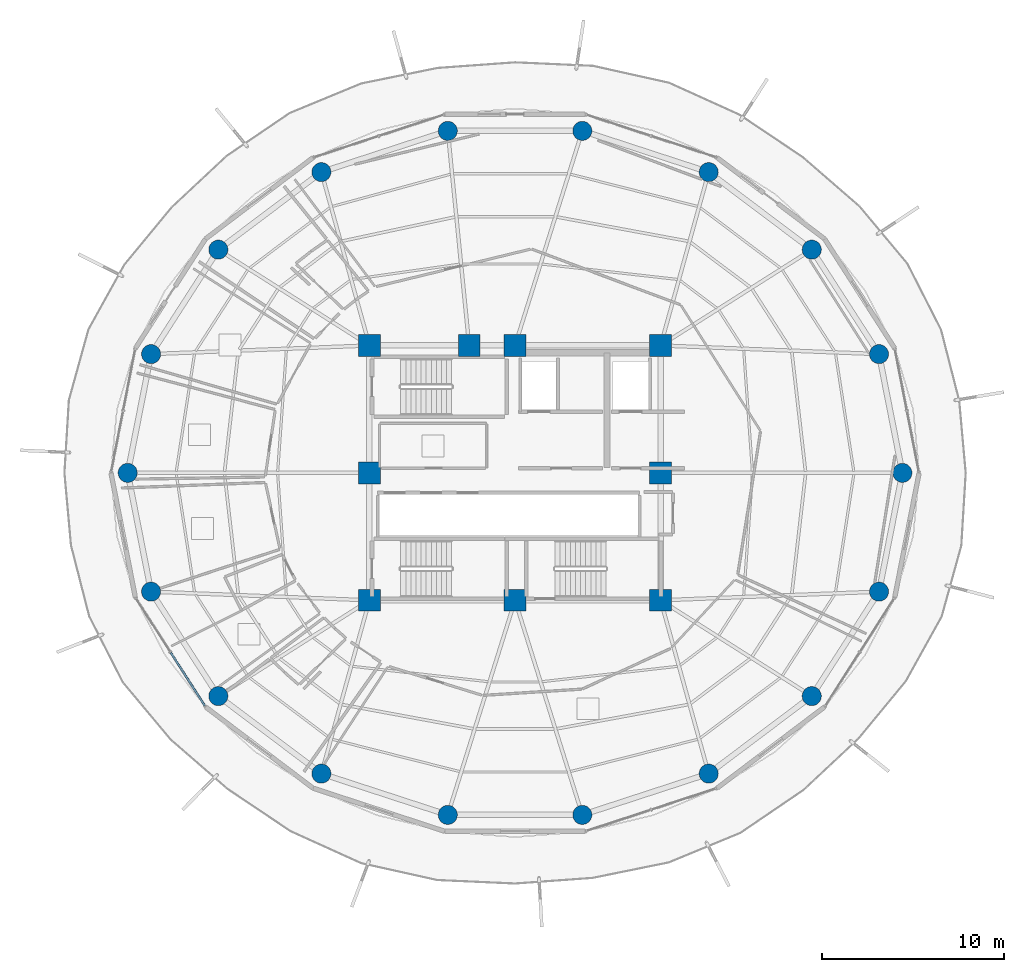
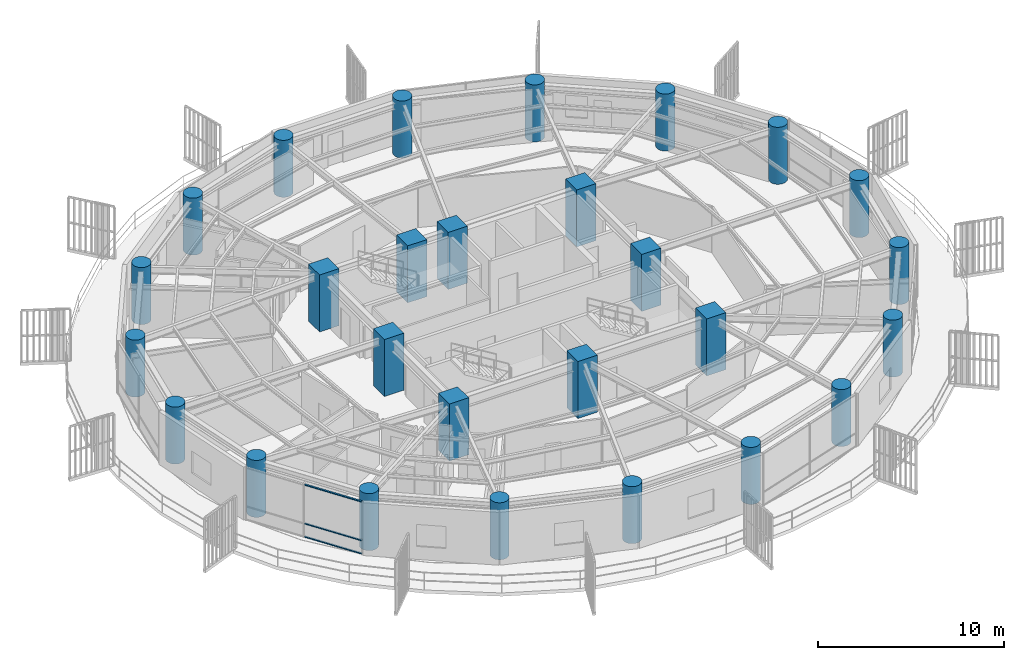
# One storey, part 1 of 30: 27 columns, 3 members, 1 element without a shape of its own.
"""IFC4 building model written with IfcOpenShell, lengths in metres."""

from ifc_helpers import new_model, si_unit, direction, frame, origin, origin_2d, place, context, subcontext, project, spatial, rectangle, hollow_rectangle, circle, extrude, material, layer, layer_set, material_profile, profile_set, type_object, element, aggregate, save


model = new_model("IFC4")

# Units and contexts
model_context = context("Model", 3, precision=1e-05, world=origin(), true_north=direction((0.0, 1.0)))
body_context = subcontext(model_context, "Body", "Model", "MODEL_VIEW")
ifc_project = project(units=[si_unit("LENGTHUNIT", "METRE"), si_unit("AREAUNIT", "SQUARE_METRE"), si_unit("VOLUMEUNIT", "CUBIC_METRE"), si_unit("PLANEANGLEUNIT", "RADIAN"), si_unit("MASSUNIT", "GRAM", prefix="KILO")], contexts=[model_context])

# Site, building, storey
site_placement = place(None, origin())
site = spatial("IfcSite", under=ifc_project, at=site_placement, CompositionType="ELEMENT")
building_placement = place(site_placement, origin())
building = spatial("IfcBuilding", under=site, at=building_placement, Name="Kelanora Arch Commons", CompositionType="ELEMENT")
storey_placement = place(building_placement, frame((0.0, 0.0, 208.199951171875)))
storey = spatial("IfcBuildingStorey", under=building, at=storey_placement, Name="L53", CompositionType="ELEMENT", Elevation=208.199951171875)

# Columns
ifc_material_1 = material(Name="Concrete C50/60", Category="concrete")
ifc_material_profile_1 = material_profile(ifc_material_1, circle(Radius=0.52490234375, at=origin_2d()), Name="RCC1050")
ifc_profile_set_1 = profile_set([ifc_material_profile_1], Name="Concrete C50/60")
column_type_1 = type_object("IfcColumnType", Name="COL-PERIM-Z4", PredefinedType="COLUMN", material=ifc_profile_set_1)
for number, where, z_axis, x_axis, name in (
    (1, (95.280029296875, 58.0, 0.0), (0.0, 0.0, 1.0), (1.0, 0.0, 0.0), "Perimeter Ring Column CP-00 L53"),
    (2, (93.99658203125, 64.525634765625, 0.0), (0.0, 0.0, 1.0), (1.0, 0.0, 0.0), "Perimeter Ring Column CP-02 L53"),
    (3, (90.301513671875, 70.264404296875, 0.0), (0.0, 0.0, 1.0), (1.0, 0.0, 0.0), "Perimeter Ring Column CP-04 L53"),
    (4, (84.639892578125, 74.523681640625, 0.0), (0.0, 0.0, 1.0), (1.0, 0.0, 0.0), "Perimeter Ring Column CP-06 L53"),
    (5, (77.6953125, 76.7900390625, 0.0), (0.0, 0.0, 1.0), (1.0, 0.0, 0.0), "Perimeter Ring Column CP-08 L53"),
    (6, (70.3046875, 76.7900390625, 0.0), (0.0, 0.0, 1.0), (1.0, 0.0, 0.0), "Perimeter Ring Column CP-10 L53"),
    (7, (63.360107421875, 74.523681640625, 0.0), (0.0, 0.0, 1.0), (1.0, 0.0, 0.0), "Perimeter Ring Column CP-12 L53"),
    (8, (57.698486328125, 70.264404296875, 0.0), (0.0, 0.0, 1.0), (1.0, 0.0, 0.0), "Perimeter Ring Column CP-14 L53"),
    (9, (54.00341796875, 64.525634765625, 0.0), (0.0, 0.0, 1.0), (1.0, 0.0, 0.0), "Perimeter Ring Column CP-16 L53"),
    (10, (52.719970703125, 58.0, 0.0), (0.0, 0.0, 1.0), (1.0, 0.0, 0.0), "Perimeter Ring Column CP-18 L53"),
    (11, (54.00341796875, 51.474365234375, 0.0), (0.0, 0.0, 1.0), (1.0, 0.0, 0.0), "Perimeter Ring Column CP-20 L53"),
    (12, (57.698486328125, 45.735595703125, 0.0), (0.0, 0.0, 1.0), (1.0, 0.0, 0.0), "Perimeter Ring Column CP-22 L53"),
    (13, (63.360107421875, 41.476318359375, 0.0), (0.0, 0.0, 1.0), (1.0, 0.0, 0.0), "Perimeter Ring Column CP-24 L53"),
    (14, (70.3046875, 39.2099609375, 0.0), (0.0, 0.0, 1.0), (1.0, 0.0, 0.0), "Perimeter Ring Column CP-26 L53"),
    (15, (77.6953125, 39.2099609375, 0.0), (0.0, 0.0, 1.0), (1.0, 0.0, 0.0), "Perimeter Ring Column CP-28 L53"),
    (16, (84.639892578125, 41.476318359375, 0.0), (0.0, 0.0, 1.0), (1.0, 0.0, 0.0), "Perimeter Ring Column CP-30 L53"),
    (17, (90.301513671875, 45.735595703125, 0.0), (0.0, 0.0, 1.0), (1.0, 0.0, 0.0), "Perimeter Ring Column CP-32 L53"),
    (18, (93.99658203125, 51.474365234375, 0.0), (0.0, 0.0, 1.0), (1.0, 0.0, 0.0), "Perimeter Ring Column CP-34 L53"),
):
    element("IfcColumn", number, at=place(storey_placement, frame(where, z_axis=z_axis, x_axis=x_axis)), inside=storey, type_object=column_type_1, Name=name, PredefinedType="COLUMN", context=body_context, shape_type="SweptSolid", body=[
        extrude(circle(Radius=0.52490234375, at=origin_2d()), origin(), (0.0, 0.0, 1.0), 3.75),
    ])
ifc_material_2 = material(Name="Concrete C60/75", Category="concrete")
ifc_material_profile_2 = material_profile(ifc_material_2, rectangle(XDim=1.199951171875, YDim=1.199951171875, at=origin_2d()), Name="RC1200x1200")
ifc_profile_set_2 = profile_set([ifc_material_profile_2], Name="Concrete C60/75")
column_type_2 = type_object("IfcColumnType", Name="COL-PIL-MID", PredefinedType="PILASTER", material=ifc_profile_set_2)
for number, where, z_axis, x_axis, name in (
    (19, (66.0, 51.0, 0.0), (0.0, 0.0, 1.0), (1.0, 0.0, 0.0), "Core Pilaster Column CP1 L53"),
    (20, (74.0, 51.0, 0.0), (0.0, 0.0, 1.0), (1.0, 0.0, 0.0), "Core Pilaster Column CP2 L53"),
    (21, (82.0, 51.0, 0.0), (0.0, 0.0, 1.0), (1.0, 0.0, 0.0), "Core Pilaster Column CP3 L53"),
    (22, (82.0, 58.0, 0.0), (0.0, 0.0, 1.0), (1.0, 0.0, 0.0), "Core Pilaster Column CP4 L53"),
    (23, (82.0, 65.0, 0.0), (0.0, 0.0, 1.0), (1.0, 0.0, 0.0), "Core Pilaster Column CP5 L53"),
    (24, (74.0, 65.0, 0.0), (0.0, 0.0, 1.0), (1.0, 0.0, 0.0), "Core Pilaster Column CP6 L53"),
    (25, (71.47998046875, 65.0, 0.0), (0.0, 0.0, 1.0), (1.0, 0.0, 0.0), "Core Pilaster Column CP9 L53"),
    (26, (66.0, 65.0, 0.0), (0.0, 0.0, 1.0), (1.0, 0.0, 0.0), "Core Pilaster Column CP7 L53"),
    (27, (66.0, 58.0, 0.0), (0.0, 0.0, 1.0), (1.0, 0.0, 0.0), "Core Pilaster Column CP8 L53"),
):
    element("IfcColumn", number, at=place(storey_placement, frame(where, z_axis=z_axis, x_axis=x_axis)), inside=storey, type_object=column_type_2, Name=name, PredefinedType="PILASTER", context=body_context, shape_type="SweptSolid", body=[
        extrude(rectangle(XDim=1.199951171875, YDim=1.199951171875, at=origin_2d()), origin(), (0.0, 0.0, 1.0), 3.75),
    ])

# Curtain wall, members
ifc_material_3 = material(Name="Terracotta ceramic-fritted low-E glass and aluminium", Category="masonry")
ifc_layer = layer(ifc_material_3, 0.175048828125)
ifc_layer_set = layer_set([ifc_layer], Name="Terracotta ceramic-fritted low-E glass and aluminium")
curtain_wall_type = type_object("IfcCurtainWallType", Name="CW-SYS-02", PredefinedType="NOTDEFINED", material=ifc_layer_set)
curtain_wall_placement = place(storey_placement, origin())
curtain_wall = element("IfcCurtainWall", 28, at=curtain_wall_placement, inside=storey, type_object=curtain_wall_type, Name="Unitised Curtain Wall L53-B10", PredefinedType="NOTDEFINED")
ifc_material_4 = material(Name="Powder-coated aluminium terracotta", Category="masonry")
ifc_material_profile_3 = material_profile(ifc_material_4, hollow_rectangle(XDim=0.1201171875, YDim=0.06005859375, WallThickness=0.0048828125, InnerFilletRadius=0.0048828125, OuterFilletRadius=0.010009765625, at=origin_2d()), Name="CWT120x60")
ifc_profile_set_3 = profile_set([ifc_material_profile_3], Name="Powder-coated aluminium terracotta")
member_type = type_object("IfcMemberType", Name="CWT-STD", PredefinedType="USERDEFINED", material=ifc_profile_set_3)
member_1_placement = place(storey_placement, frame((55.08251953125, 48.126708984375, 0.030029296875), z_axis=(0.53954710894, -0.841955412854, 0.0), x_axis=(0.841955412854, 0.53954710894, 0.0)))
member_1 = element("IfcMember", 29, at=member_1_placement, type_object=member_type, Name="CW-02 transom 2.1", ObjectType="TRANSOM", PredefinedType="USERDEFINED", context=body_context, shape_type="SweptSolid", body=[
    extrude(hollow_rectangle(XDim=0.1201171875, YDim=0.06005859375, WallThickness=0.0048828125, InnerFilletRadius=0.0048828125, OuterFilletRadius=0.010009765625, at=origin_2d()), origin(), (0.0, 0.0, 1.0), 3.467529296875),
])
member_2_placement = place(storey_placement, frame((55.08251953125, 48.126708984375, 0.900146484375), z_axis=(0.53954710894, -0.841955412854, 0.0), x_axis=(0.841955412854, 0.53954710894, 0.0)))
member_2 = element("IfcMember", 30, at=member_2_placement, type_object=member_type, Name="CW-02 transom 2.2", ObjectType="TRANSOM", PredefinedType="USERDEFINED", context=body_context, shape_type="SweptSolid", body=[
    extrude(hollow_rectangle(XDim=0.1201171875, YDim=0.06005859375, WallThickness=0.0048828125, InnerFilletRadius=0.0048828125, OuterFilletRadius=0.010009765625, at=origin_2d()), origin(), (0.0, 0.0, 1.0), 3.467529296875),
])
member_3_placement = place(storey_placement, frame((55.08251953125, 48.126708984375, 3.445068359375), z_axis=(0.53954710894, -0.841955412854, 0.0), x_axis=(0.841955412854, 0.53954710894, 0.0)))
member_3 = element("IfcMember", 31, at=member_3_placement, type_object=member_type, Name="CW-02 transom 2.3", ObjectType="TRANSOM", PredefinedType="USERDEFINED", context=body_context, shape_type="SweptSolid", body=[
    extrude(hollow_rectangle(XDim=0.1201171875, YDim=0.06005859375, WallThickness=0.0048828125, InnerFilletRadius=0.0048828125, OuterFilletRadius=0.010009765625, at=origin_2d()), origin(), (0.0, 0.0, 1.0), 3.467529296875),
])
aggregate(curtain_wall, [member_1, member_2, member_3])

save(model, "model.ifc")
